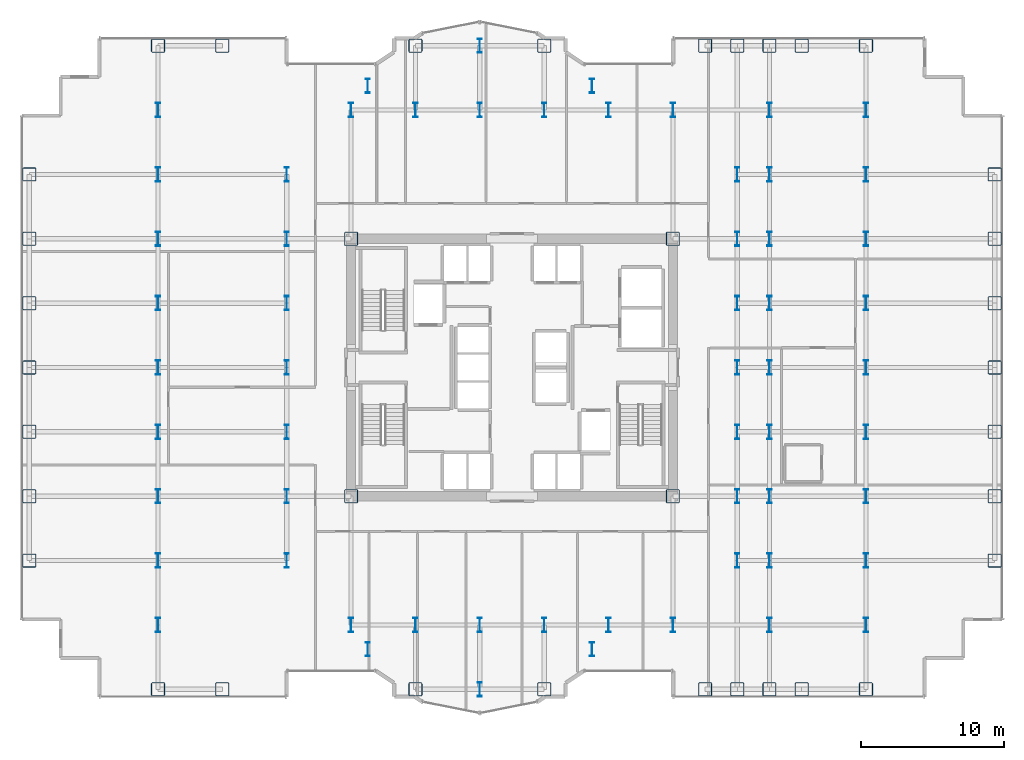
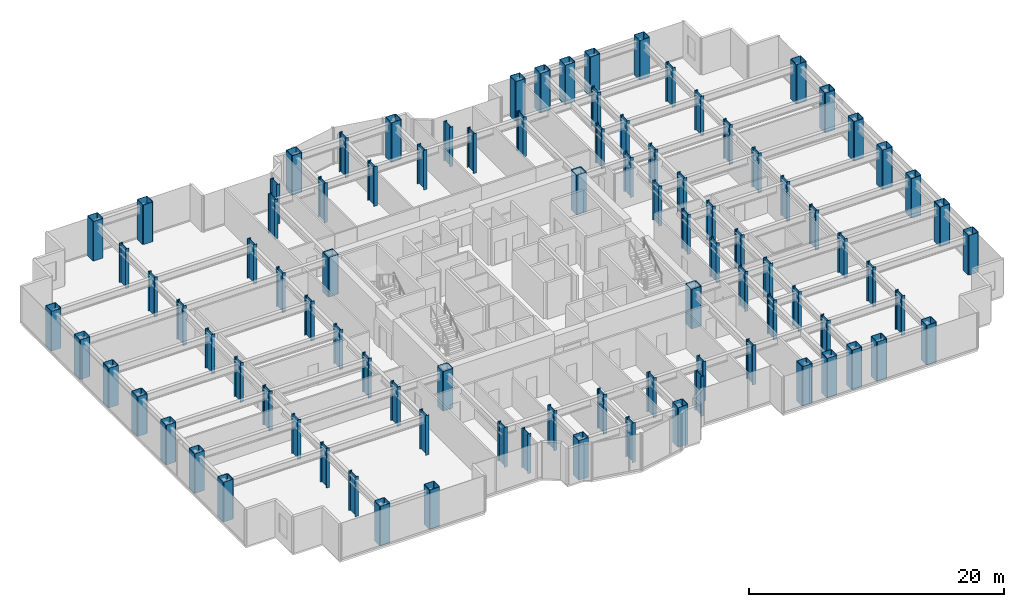
# One storey, part 1 of 26: 95 columns.
"""IFC4 building model written with IfcOpenShell, lengths in metres."""

from ifc_helpers import new_model, si_unit, direction, frame, origin, origin_2d, place, context, subcontext, project, spatial, hollow_rectangle, i_section, extrude, source, transform, mapped, material, material_profile, profile_set, type_object, element, save


model = new_model("IFC4")

# Units and contexts
model_context = context("Model", 3, precision=1e-05, world=origin(), true_north=direction((0.0, 1.0)))
body_context = subcontext(model_context, "Body", "Model", "MODEL_VIEW")
ifc_project = project(units=[si_unit("LENGTHUNIT", "METRE"), si_unit("AREAUNIT", "SQUARE_METRE"), si_unit("VOLUMEUNIT", "CUBIC_METRE"), si_unit("PLANEANGLEUNIT", "RADIAN"), si_unit("MASSUNIT", "GRAM", prefix="KILO")], contexts=[model_context])

# Site, building, storey
site_placement = place(None, origin())
site = spatial("IfcSite", under=ifc_project, at=site_placement, CompositionType="ELEMENT")
building_placement = place(site_placement, origin())
building = spatial("IfcBuilding", under=site, at=building_placement, Name="Nefas-Gora Pilgrimage Tower", CompositionType="ELEMENT")
storey_placement = place(building_placement, frame((0.0, 0.0, 82.39990234375)))
storey = spatial("IfcBuildingStorey", under=building, at=storey_placement, Name="L19", CompositionType="ELEMENT", Elevation=82.39990234375)

# Columns
ifc_material = material(Name="Steel S460", Category="steel")
ifc_material_profile_1 = material_profile(ifc_material, hollow_rectangle(XDim=0.949951171875, YDim=0.949951171875, WallThickness=0.044921875, InnerFilletRadius=0.044921875, OuterFilletRadius=0.090087890625, at=origin_2d()), Name="BOX 950x950x45")
ifc_profile_set_1 = profile_set([ifc_material_profile_1], Name="Steel S460")
column_type_1 = type_object("IfcColumnType", Name="COL-TUBE-950", PredefinedType="COLUMN", material=ifc_profile_set_1)
shared_shape_1 = source(origin(), body_context, "Body", "SweptSolid", [
    extrude(hollow_rectangle(XDim=0.949951171875, YDim=0.949951171875, WallThickness=0.044921875, InnerFilletRadius=0.044921875, OuterFilletRadius=0.090087890625, at=origin_2d()), origin(), (0.0, 0.0, 1.0), 3.800048828125),
])
for number, where, z_axis, x_axis, name in (
    (1, (-33.75, -13.5, 0.0), (0.0, 0.0, 1.0), (1.0, 0.0, 0.0), "L19 Tower Column C-Z1.1"),
    (2, (-33.75, -9.0, 0.0), (0.0, 0.0, 1.0), (1.0, 0.0, 0.0), "L19 Tower Column C-Z1.2"),
    (3, (-33.75, -4.5, 0.0), (0.0, 0.0, 1.0), (1.0, 0.0, 0.0), "L19 Tower Column C-Z1.3"),
    (4, (-33.75, 0.0, 0.0), (0.0, 0.0, 1.0), (1.0, 0.0, 0.0), "L19 Tower Column C-Z1.4"),
    (5, (-33.75, 4.5, 0.0), (0.0, 0.0, 1.0), (1.0, 0.0, 0.0), "L19 Tower Column C-Z1.5"),
    (6, (-33.75, 9.0, 0.0), (0.0, 0.0, 1.0), (1.0, 0.0, 0.0), "L19 Tower Column C-Z1.6"),
    (7, (-33.75, 13.5, 0.0), (0.0, 0.0, 1.0), (1.0, 0.0, 0.0), "L19 Tower Column C-Z1.7"),
    (8, (-24.75, -22.5, 0.0), (0.0, 0.0, 1.0), (1.0, 0.0, 0.0), "L19 Tower Column C-Z1.8"),
    (9, (-24.75, 22.5, 0.0), (0.0, 0.0, 1.0), (1.0, 0.0, 0.0), "L19 Tower Column C-Z1.18"),
    (10, (-20.25, -22.5, 0.0), (0.0, 0.0, 1.0), (1.0, 0.0, 0.0), "L19 Tower Column C-Z1.19"),
    (11, (-20.25, 22.5, 0.0), (0.0, 0.0, 1.0), (1.0, 0.0, 0.0), "L19 Tower Column C-Z1.20"),
    (12, (-6.75, -22.5, 0.0), (0.0, 0.0, 1.0), (1.0, 0.0, 0.0), "L19 Tower Column C-Z1.34"),
    (13, (-6.75, 22.5, 0.0), (0.0, 0.0, 1.0), (1.0, 0.0, 0.0), "L19 Tower Column C-Z1.37"),
    (14, (2.25, -22.5, 0.0), (0.0, 0.0, 1.0), (1.0, 0.0, 0.0), "L19 Tower Column C-Z1.42"),
    (15, (2.25, 22.5, 0.0), (0.0, 0.0, 1.0), (1.0, 0.0, 0.0), "L19 Tower Column C-Z1.45"),
    (16, (13.5, -22.5, 0.0), (0.0, 0.0, 1.0), (1.0, 0.0, 0.0), "L19 Tower Column C-Z1.54"),
    (17, (13.5, 22.5, 0.0), (0.0, 0.0, 1.0), (1.0, 0.0, 0.0), "L19 Tower Column C-Z1.55"),
    (18, (15.75, -22.5, 0.0), (0.0, 0.0, 1.0), (1.0, 0.0, 0.0), "L19 Tower Column C-Z1.56"),
    (19, (15.75, 22.5, 0.0), (0.0, 0.0, 1.0), (1.0, 0.0, 0.0), "L19 Tower Column C-Z1.64"),
    (20, (18.0, -22.5, 0.0), (0.0, 0.0, 1.0), (1.0, 0.0, 0.0), "L19 Tower Column C-Z1.65"),
    (21, (18.0, 22.5, 0.0), (0.0, 0.0, 1.0), (1.0, 0.0, 0.0), "L19 Tower Column C-Z1.75"),
    (22, (20.25, -22.5, 0.0), (0.0, 0.0, 1.0), (1.0, 0.0, 0.0), "L19 Tower Column C-Z1.76"),
    (23, (20.25, 22.5, 0.0), (0.0, 0.0, 1.0), (1.0, 0.0, 0.0), "L19 Tower Column C-Z1.77"),
    (24, (24.75, -22.5, 0.0), (0.0, 0.0, 1.0), (1.0, 0.0, 0.0), "L19 Tower Column C-Z1.78"),
    (25, (24.75, 22.5, 0.0), (0.0, 0.0, 1.0), (1.0, 0.0, 0.0), "L19 Tower Column C-Z1.88"),
    (26, (33.75, -13.5, 0.0), (0.0, 0.0, 1.0), (1.0, 0.0, 0.0), "L19 Tower Column C-Z1.89"),
    (27, (33.75, -9.0, 0.0), (0.0, 0.0, 1.0), (1.0, 0.0, 0.0), "L19 Tower Column C-Z1.90"),
    (28, (33.75, -4.5, 0.0), (0.0, 0.0, 1.0), (1.0, 0.0, 0.0), "L19 Tower Column C-Z1.91"),
    (29, (33.75, 0.0, 0.0), (0.0, 0.0, 1.0), (1.0, 0.0, 0.0), "L19 Tower Column C-Z1.92"),
    (30, (33.75, 4.5, 0.0), (0.0, 0.0, 1.0), (1.0, 0.0, 0.0), "L19 Tower Column C-Z1.93"),
    (31, (33.75, 9.0, 0.0), (0.0, 0.0, 1.0), (1.0, 0.0, 0.0), "L19 Tower Column C-Z1.94"),
    (32, (33.75, 13.5, 0.0), (0.0, 0.0, 1.0), (1.0, 0.0, 0.0), "L19 Tower Column C-Z1.95"),
):
    element("IfcColumn", number, at=place(storey_placement, frame(where, z_axis=z_axis, x_axis=x_axis)), inside=storey, type_object=column_type_1, Name=name, PredefinedType="COLUMN", context=body_context, shape_type="MappedRepresentation", body=[
        mapped(shared_shape_1, transform((0.0, 0.0, 0.0), x_axis=(1.0, 0.0, 0.0), y_axis=(0.0, 1.0, 0.0), z_axis=(0.0, 0.0, 1.0), scale=1.0)),
    ])
ifc_material_profile_2 = material_profile(ifc_material, i_section(OverallWidth=0.302001953125, OverallDepth=1.008056640625, WebThickness=0.02099609375, FlangeThickness=0.0400390625, FilletRadius=0.030029296875, at=origin_2d()), Name="HEM 1000")
ifc_profile_set_2 = profile_set([ifc_material_profile_2], Name="Steel S460")
column_type_2 = type_object("IfcColumnType", Name="COL-WEB-HEM1000", PredefinedType="COLUMN", material=ifc_profile_set_2)
shared_shape_2 = source(origin(), body_context, "Body", "SweptSolid", [
    extrude(i_section(OverallWidth=0.302001953125, OverallDepth=1.008056640625, WebThickness=0.02099609375, FlangeThickness=0.0400390625, FilletRadius=0.030029296875, at=origin_2d()), origin(), (0.0, 0.0, 1.0), 3.800048828125),
])
for number, where, z_axis, x_axis, name in (
    (33, (-24.75, -18.0, 0.0), (0.0, 0.0, 1.0), (1.0, 0.0, 0.0), "L19 Tower Column CW-01.9"),
    (34, (-24.75, -13.5, 0.0), (0.0, 0.0, 1.0), (1.0, 0.0, 0.0), "L19 Tower Column CW-01.10"),
    (35, (-24.75, -9.0, 0.0), (0.0, 0.0, 1.0), (1.0, 0.0, 0.0), "L19 Tower Column CW-01.11"),
    (36, (-24.75, -4.5, 0.0), (0.0, 0.0, 1.0), (1.0, 0.0, 0.0), "L19 Tower Column CW-01.12"),
    (37, (-24.75, 0.0, 0.0), (0.0, 0.0, 1.0), (1.0, 0.0, 0.0), "L19 Tower Column CW-01.13"),
    (38, (-24.75, 4.5, 0.0), (0.0, 0.0, 1.0), (1.0, 0.0, 0.0), "L19 Tower Column CW-01.14"),
    (39, (-24.75, 9.0, 0.0), (0.0, 0.0, 1.0), (1.0, 0.0, 0.0), "L19 Tower Column CW-01.15"),
    (40, (-24.75, 13.5, 0.0), (0.0, 0.0, 1.0), (1.0, 0.0, 0.0), "L19 Tower Column CW-01.16"),
    (41, (-24.75, 18.0, 0.0), (0.0, 0.0, 1.0), (1.0, 0.0, 0.0), "L19 Tower Column CW-01.17"),
    (42, (-15.75, -13.5, 0.0), (0.0, 0.0, 1.0), (1.0, 0.0, 0.0), "L19 Tower Column CW-01.21"),
    (43, (-15.75, -9.0, 0.0), (0.0, 0.0, 1.0), (1.0, 0.0, 0.0), "L19 Tower Column CW-01.22"),
    (44, (-15.75, -4.5, 0.0), (0.0, 0.0, 1.0), (1.0, 0.0, 0.0), "L19 Tower Column CW-01.23"),
    (45, (-15.75, 0.0, 0.0), (0.0, 0.0, 1.0), (1.0, 0.0, 0.0), "L19 Tower Column CW-01.24"),
    (46, (-15.75, 4.5, 0.0), (0.0, 0.0, 1.0), (1.0, 0.0, 0.0), "L19 Tower Column CW-01.25"),
    (47, (-15.75, 9.0, 0.0), (0.0, 0.0, 1.0), (1.0, 0.0, 0.0), "L19 Tower Column CW-01.26"),
    (48, (-15.75, 13.5, 0.0), (0.0, 0.0, 1.0), (1.0, 0.0, 0.0), "L19 Tower Column CW-01.27"),
    (49, (-11.25, -18.0, 0.0), (0.0, 0.0, 1.0), (1.0, 0.0, 0.0), "L19 Tower Column CW-01.28"),
    (50, (-11.25, 18.0, 0.0), (0.0, 0.0, 1.0), (1.0, 0.0, 0.0), "L19 Tower Column CW-01.31"),
    (51, (-10.091064453125, -19.696044921875, 0.0), (0.0, 0.0, 1.0), (1.0, 0.0, 0.0), "L19 Tower Column CW-01.32"),
    (52, (-10.091064453125, 19.696044921875, 0.0), (0.0, 0.0, 1.0), (1.0, 0.0, 0.0), "L19 Tower Column CW-01.33"),
    (53, (-6.75, -18.0, 0.0), (0.0, 0.0, 1.0), (1.0, 0.0, 0.0), "L19 Tower Column CW-01.35"),
    (54, (-6.75, 18.0, 0.0), (0.0, 0.0, 1.0), (1.0, 0.0, 0.0), "L19 Tower Column CW-01.36"),
    (55, (-2.25, -22.5, 0.0), (0.0, 0.0, 1.0), (1.0, 0.0, 0.0), "L19 Tower Column CW-01.38"),
    (56, (-2.25, -18.0, 0.0), (0.0, 0.0, 1.0), (1.0, 0.0, 0.0), "L19 Tower Column CW-01.39"),
    (57, (-2.25, 18.0, 0.0), (0.0, 0.0, 1.0), (1.0, 0.0, 0.0), "L19 Tower Column CW-01.40"),
    (58, (-2.25, 22.5, 0.0), (0.0, 0.0, 1.0), (1.0, 0.0, 0.0), "L19 Tower Column CW-01.41"),
    (59, (2.25, -18.0, 0.0), (0.0, 0.0, 1.0), (1.0, 0.0, 0.0), "L19 Tower Column CW-01.43"),
    (60, (2.25, 18.0, 0.0), (0.0, 0.0, 1.0), (1.0, 0.0, 0.0), "L19 Tower Column CW-01.44"),
    (61, (5.591064453125, -19.696044921875, 0.0), (0.0, 0.0, 1.0), (1.0, 0.0, 0.0), "L19 Tower Column CW-01.46"),
    (62, (5.591064453125, 19.696044921875, 0.0), (0.0, 0.0, 1.0), (1.0, 0.0, 0.0), "L19 Tower Column CW-01.47"),
    (63, (6.75, -18.0, 0.0), (0.0, 0.0, 1.0), (1.0, 0.0, 0.0), "L19 Tower Column CW-01.48"),
    (64, (6.75, 18.0, 0.0), (0.0, 0.0, 1.0), (1.0, 0.0, 0.0), "L19 Tower Column CW-01.49"),
    (65, (11.25, -18.0, 0.0), (0.0, 0.0, 1.0), (1.0, 0.0, 0.0), "L19 Tower Column CW-01.50"),
    (66, (11.25, 18.0, 0.0), (0.0, 0.0, 1.0), (1.0, 0.0, 0.0), "L19 Tower Column CW-01.53"),
    (67, (15.75, -13.5, 0.0), (0.0, 0.0, 1.0), (1.0, 0.0, 0.0), "L19 Tower Column CW-01.57"),
    (68, (15.75, -9.0, 0.0), (0.0, 0.0, 1.0), (1.0, 0.0, 0.0), "L19 Tower Column CW-01.58"),
    (69, (15.75, -4.5, 0.0), (0.0, 0.0, 1.0), (1.0, 0.0, 0.0), "L19 Tower Column CW-01.59"),
    (70, (15.75, 0.0, 0.0), (0.0, 0.0, 1.0), (1.0, 0.0, 0.0), "L19 Tower Column CW-01.60"),
    (71, (15.75, 4.5, 0.0), (0.0, 0.0, 1.0), (1.0, 0.0, 0.0), "L19 Tower Column CW-01.61"),
    (72, (15.75, 9.0, 0.0), (0.0, 0.0, 1.0), (1.0, 0.0, 0.0), "L19 Tower Column CW-01.62"),
    (73, (15.75, 13.5, 0.0), (0.0, 0.0, 1.0), (1.0, 0.0, 0.0), "L19 Tower Column CW-01.63"),
    (74, (18.0, -18.0, 0.0), (0.0, 0.0, 1.0), (1.0, 0.0, 0.0), "L19 Tower Column CW-01.66"),
    (75, (18.0, -13.5, 0.0), (0.0, 0.0, 1.0), (1.0, 0.0, 0.0), "L19 Tower Column CW-01.67"),
    (76, (18.0, -9.0, 0.0), (0.0, 0.0, 1.0), (1.0, 0.0, 0.0), "L19 Tower Column CW-01.68"),
    (77, (18.0, -4.5, 0.0), (0.0, 0.0, 1.0), (1.0, 0.0, 0.0), "L19 Tower Column CW-01.69"),
    (78, (18.0, 0.0, 0.0), (0.0, 0.0, 1.0), (1.0, 0.0, 0.0), "L19 Tower Column CW-01.70"),
    (79, (18.0, 4.5, 0.0), (0.0, 0.0, 1.0), (1.0, 0.0, 0.0), "L19 Tower Column CW-01.71"),
    (80, (18.0, 9.0, 0.0), (0.0, 0.0, 1.0), (1.0, 0.0, 0.0), "L19 Tower Column CW-01.72"),
    (81, (18.0, 13.5, 0.0), (0.0, 0.0, 1.0), (1.0, 0.0, 0.0), "L19 Tower Column CW-01.73"),
    (82, (18.0, 18.0, 0.0), (0.0, 0.0, 1.0), (1.0, 0.0, 0.0), "L19 Tower Column CW-01.74"),
    (83, (24.75, -18.0, 0.0), (0.0, 0.0, 1.0), (1.0, 0.0, 0.0), "L19 Tower Column CW-01.79"),
    (84, (24.75, -13.5, 0.0), (0.0, 0.0, 1.0), (1.0, 0.0, 0.0), "L19 Tower Column CW-01.80"),
    (85, (24.75, -9.0, 0.0), (0.0, 0.0, 1.0), (1.0, 0.0, 0.0), "L19 Tower Column CW-01.81"),
    (86, (24.75, -4.5, 0.0), (0.0, 0.0, 1.0), (1.0, 0.0, 0.0), "L19 Tower Column CW-01.82"),
    (87, (24.75, 0.0, 0.0), (0.0, 0.0, 1.0), (1.0, 0.0, 0.0), "L19 Tower Column CW-01.83"),
    (88, (24.75, 4.5, 0.0), (0.0, 0.0, 1.0), (1.0, 0.0, 0.0), "L19 Tower Column CW-01.84"),
    (89, (24.75, 9.0, 0.0), (0.0, 0.0, 1.0), (1.0, 0.0, 0.0), "L19 Tower Column CW-01.85"),
    (90, (24.75, 13.5, 0.0), (0.0, 0.0, 1.0), (1.0, 0.0, 0.0), "L19 Tower Column CW-01.86"),
    (91, (24.75, 18.0, 0.0), (0.0, 0.0, 1.0), (1.0, 0.0, 0.0), "L19 Tower Column CW-01.87"),
):
    element("IfcColumn", number, at=place(storey_placement, frame(where, z_axis=z_axis, x_axis=x_axis)), inside=storey, type_object=column_type_2, Name=name, PredefinedType="COLUMN", context=body_context, shape_type="MappedRepresentation", body=[
        mapped(shared_shape_2, transform((0.0, 0.0, 0.0), x_axis=(1.0, 0.0, 0.0), y_axis=(0.0, 1.0, 0.0), z_axis=(0.0, 0.0, 1.0), scale=1.0)),
    ])
ifc_material_profile_3 = material_profile(ifc_material, hollow_rectangle(XDim=0.949951171875, YDim=0.949951171875, WallThickness=0.044921875, InnerFilletRadius=0.044921875, OuterFilletRadius=0.090087890625, at=origin_2d()), Name="BOX 950x950x45")
ifc_profile_set_3 = profile_set([ifc_material_profile_3], Name="Steel S460")
column_type_3 = type_object("IfcColumnType", Name="COL-CORE-950", PredefinedType="COLUMN", material=ifc_profile_set_3)
shared_shape_3 = source(origin(), body_context, "Body", "SweptSolid", [
    extrude(hollow_rectangle(XDim=0.949951171875, YDim=0.949951171875, WallThickness=0.044921875, InnerFilletRadius=0.044921875, OuterFilletRadius=0.090087890625, at=origin_2d()), origin(), (0.0, 0.0, 1.0), 3.800048828125),
])
for number, where, z_axis, x_axis, name in (
    (92, (-11.25, -9.0, 0.0), (0.0, 0.0, 1.0), (1.0, 0.0, 0.0), "L19 Tower Column CC-Z1.29"),
    (93, (-11.25, 9.0, 0.0), (0.0, 0.0, 1.0), (1.0, 0.0, 0.0), "L19 Tower Column CC-Z1.30"),
    (94, (11.25, -9.0, 0.0), (0.0, 0.0, 1.0), (1.0, 0.0, 0.0), "L19 Tower Column CC-Z1.51"),
    (95, (11.25, 9.0, 0.0), (0.0, 0.0, 1.0), (1.0, 0.0, 0.0), "L19 Tower Column CC-Z1.52"),
):
    element("IfcColumn", number, at=place(storey_placement, frame(where, z_axis=z_axis, x_axis=x_axis)), inside=storey, type_object=column_type_3, Name=name, PredefinedType="COLUMN", context=body_context, shape_type="MappedRepresentation", body=[
        mapped(shared_shape_3, transform((0.0, 0.0, 0.0), x_axis=(1.0, 0.0, 0.0), y_axis=(0.0, 1.0, 0.0), z_axis=(0.0, 0.0, 1.0), scale=1.0)),
    ])

save(model, "model.ifc")
